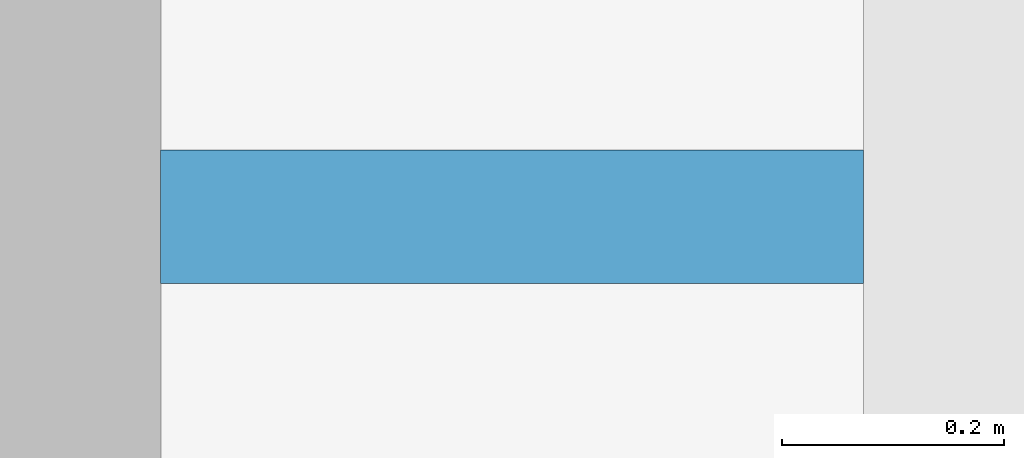
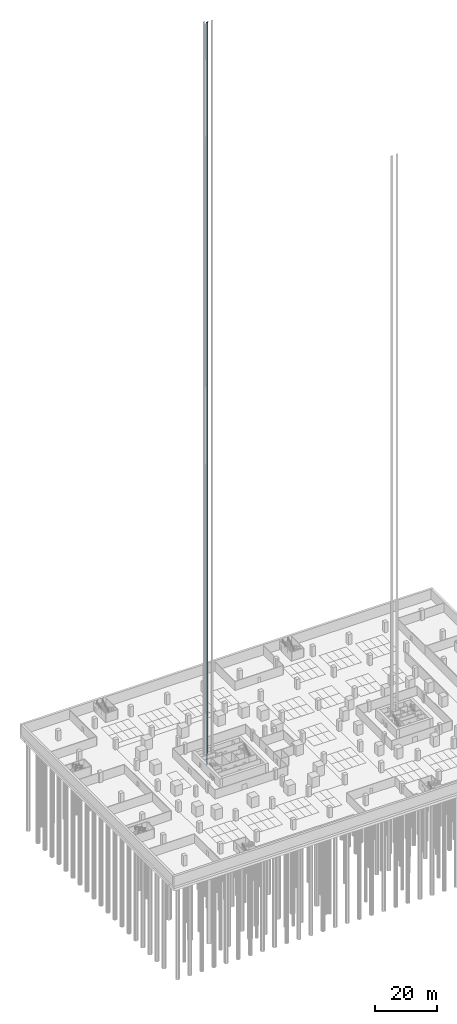
# One storey, part 20 of 40: 1 discrete accessory.
"""IFC4 building model written with IfcOpenShell, lengths in metres."""

from ifc_helpers import new_model, si_unit, direction, frame, origin, origin_2d, place, context, subcontext, project, spatial, rectangle, extrude, element, save


model = new_model("IFC4")

# Units and contexts
model_context = context("Model", 3, precision=1e-05, world=origin(), true_north=direction((0.0, 1.0)))
body_context = subcontext(model_context, "Body", "Model", "MODEL_VIEW")
ifc_project = project(units=[si_unit("LENGTHUNIT", "METRE"), si_unit("AREAUNIT", "SQUARE_METRE"), si_unit("VOLUMEUNIT", "CUBIC_METRE"), si_unit("PLANEANGLEUNIT", "RADIAN"), si_unit("MASSUNIT", "GRAM", prefix="KILO")], contexts=[model_context])

# Site, building, storey
site_placement = place(None, origin())
site = spatial("IfcSite", under=ifc_project, at=site_placement, CompositionType="ELEMENT")
building_placement = place(site_placement, origin())
building = spatial("IfcBuilding", under=site, at=building_placement, Name="Altepetl Exchange Towers", CompositionType="ELEMENT")
storey_placement = place(building_placement, frame((0.0, 0.0, -8.0)))
storey = spatial("IfcBuildingStorey", under=building, at=storey_placement, Name="B2 Basement parking", CompositionType="ELEMENT", Elevation=-8.0)

# Discrete accessory
discrete_accessory_placement = place(storey_placement, frame((44.583251953125, 55.800048828125, -1.60009765625)))
element("IfcDiscreteAccessory", 1, at=discrete_accessory_placement, inside=storey, Name="Guide rail FFL2", ObjectType="GUIDE RAIL", PredefinedType="USERDEFINED", context=body_context, shape_type="SweptSolid", body=[
    extrude(rectangle(XDim=0.63330078125, YDim=0.1201171875, at=origin_2d()), origin(), (0.0, 0.0, 1.0), 291.699951171875),
])

save(model, "model.ifc")
